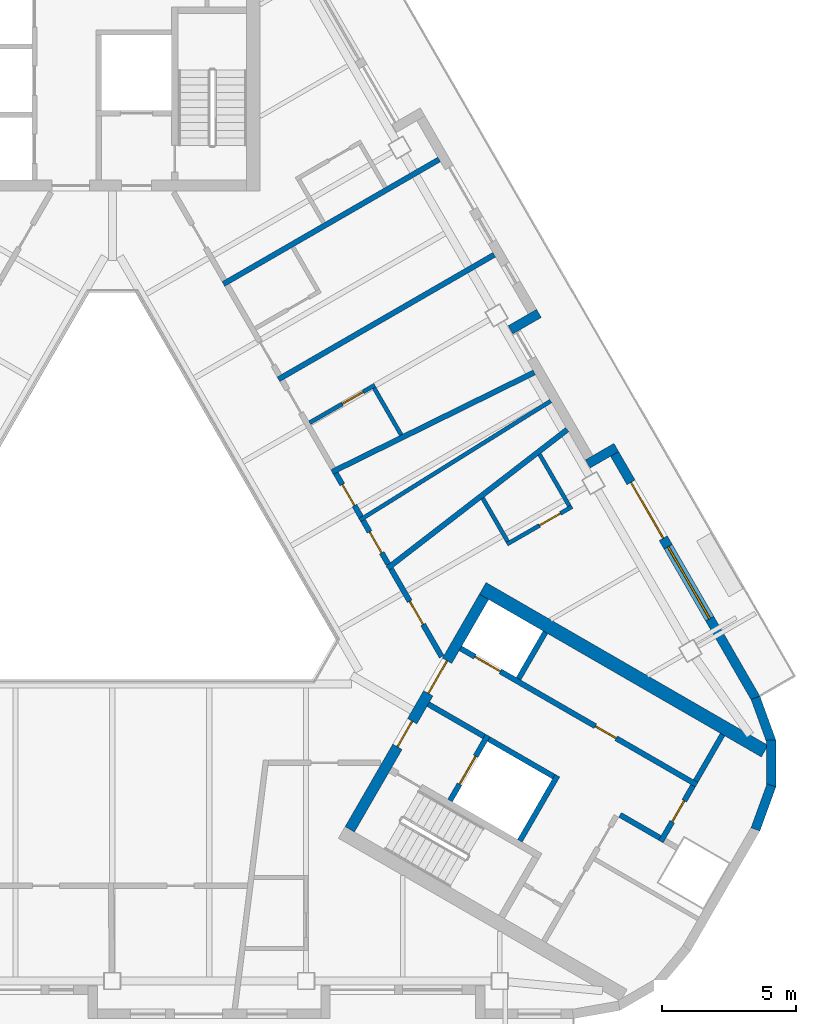
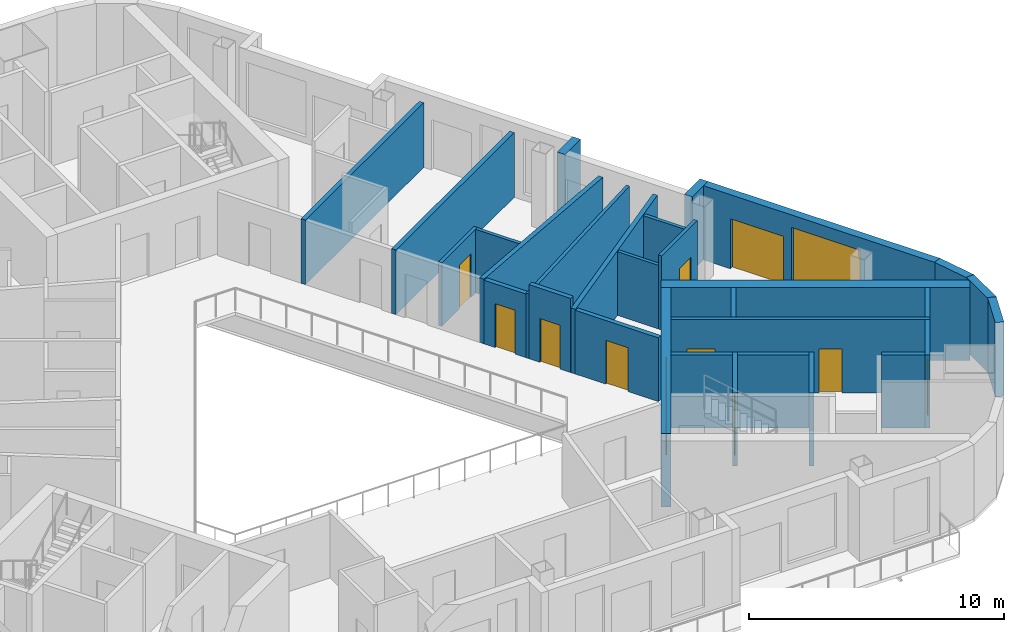
# One storey, part 6 of 13: 30 walls, 12 doors, 1 window, 13 openings.
"""IFC4 building model written with IfcOpenShell, lengths in metres."""

from ifc_helpers import new_model, si_unit, direction, frame, frame_2d, origin, place, context, subcontext, project, spatial, rectangle, extrude, material, layer, layer_set, type_object, element, fill, save


model = new_model("IFC4")

# Units and contexts
model_context = context("Model", 3, precision=1e-05, world=origin(), true_north=direction((0.0, 1.0)))
body_context = subcontext(model_context, "Body", "Model", "MODEL_VIEW")
ifc_project = project(units=[si_unit("LENGTHUNIT", "METRE"), si_unit("AREAUNIT", "SQUARE_METRE"), si_unit("VOLUMEUNIT", "CUBIC_METRE"), si_unit("PLANEANGLEUNIT", "RADIAN"), si_unit("MASSUNIT", "GRAM", prefix="KILO")], contexts=[model_context])

# Site, building, storey
site_placement = place(None, origin())
site = spatial("IfcSite", under=ifc_project, at=site_placement, CompositionType="ELEMENT")
building_placement = place(site_placement, origin())
building = spatial("IfcBuilding", under=site, at=building_placement, Name="Apuvela Tower Hotel", CompositionType="ELEMENT")
storey_placement = place(building_placement, frame((0.0, 0.0, 283.699951171875)))
storey = spatial("IfcBuildingStorey", under=building, at=storey_placement, Name="L70", CompositionType="ELEMENT", Elevation=283.699951171875)

# Wall, openings, doors
ifc_material_1 = material(Name="Concrete C50/60", Category="concrete")
ifc_layer_1 = layer(ifc_material_1, 0.39990234375)
ifc_layer_set_1 = layer_set([ifc_layer_1], Name="COR-WALL-CORE-400")
wall_type_1 = type_object("IfcWallType", Name="COR-WALL-CORE-400", PredefinedType="SHEAR", material=ifc_layer_set_1)
wall_1_placement = place(storey_placement, frame((8.844970703125, -10.880126953125, 0.0), z_axis=(0.0, 0.0, 1.0), x_axis=(0.500004234368, 0.866022959057, 0.0)))
wall_1 = element("IfcWall", 1, at=wall_1_placement, inside=storey, type_object=wall_type_1, Name="Core wall SE", PredefinedType="SHEAR", context=body_context, shape_type="SweptSolid", body=[
    extrude(rectangle(XDim=10.0, YDim=0.39990234375, at=frame_2d((5.0, 0.0))), origin(), (0.0, 0.0, 1.0), 3.5),
])
opening_1_placement = place(wall_1_placement, frame((3.550048828125, 0.0, 0.0)))
opening_1 = element("IfcOpeningElement", 2, at=opening_1_placement, cuts=wall_1, Name="Opening E-FD", PredefinedType="OPENING", context=body_context, shape_type="SweptSolid", body=[
    extrude(rectangle(XDim=1.10009765625, YDim=2.10009765625, at=frame_2d((0.550048828125, 1.050048828125))), frame((0.0, 0.2099609375, 0.0), z_axis=(0.0, -1.0, 0.0), x_axis=(1.0, 0.0, 0.0)), (0.0, 0.0, 1.0), 0.419921875),
])
opening_2_placement = place(wall_1_placement, frame((5.85009765625, 0.0, 0.0)))
opening_2 = element("IfcOpeningElement", 3, at=opening_2_placement, cuts=wall_1, Name="Opening E-GD", PredefinedType="OPENING", context=body_context, shape_type="SweptSolid", body=[
    extrude(rectangle(XDim=1.39990234375, YDim=2.10009765625, at=frame_2d((0.699951171875, 1.050048828125))), frame((0.0, 0.2099609375, 0.0), z_axis=(0.0, -1.0, 0.0), x_axis=(1.0, 0.0, 0.0)), (0.0, 0.0, 1.0), 0.419921875),
])
ifc_material_2 = material(Name="Steel fire door, powder coated", Category="steel")
door_type_1 = type_object("IfcDoorType", Name="COR-FD-1100", OperationType="NOTDEFINED", PredefinedType="DOOR", material=ifc_material_2)
door_1_placement = place(opening_1_placement, frame((1.10009765625, 0.0, 0.0), z_axis=(0.0, 0.0, 1.0), x_axis=(-1.0, 0.0, 0.0)))
door_1 = element("IfcDoor", 4, at=door_1_placement, inside=storey, type_object=door_type_1, Name="Firefighting lobby door E-FD", OperationType="SINGLE_SWING_LEFT", OverallHeight=2.10009765625, OverallWidth=1.10009765625, PredefinedType="DOOR", context=body_context, shape_type="SweptSolid", body=[
    extrude(rectangle(XDim=1.10009765625, YDim=2.10009765625, at=frame_2d((0.550048828125, 1.050048828125))), frame((0.0, 0.02490234375, 0.0), z_axis=(0.0, -1.0, 0.0), x_axis=(1.0, 0.0, 0.0)), (0.0, 0.0, 1.0), 0.050048828125),
])
fill(opening_1, door_1)
ifc_material_3 = material(Name="Glazed steel fire door", Category="steel")
door_type_2 = type_object("IfcDoorType", Name="COR-GD-1400", OperationType="DOUBLE_DOOR_SINGLE_SWING", PredefinedType="DOOR", material=ifc_material_3)
door_2_placement = place(opening_2_placement, frame((1.39990234375, 0.0, 0.0), z_axis=(0.0, 0.0, 1.0), x_axis=(-1.0, 0.0, 0.0)))
door_2 = element("IfcDoor", 5, at=door_2_placement, inside=storey, type_object=door_type_2, Name="Lift lobby door E-GD", OperationType="DOUBLE_DOOR_SINGLE_SWING", OverallHeight=2.10009765625, OverallWidth=1.39990234375, PredefinedType="DOOR", context=body_context, shape_type="SweptSolid", body=[
    extrude(rectangle(XDim=1.39990234375, YDim=2.10009765625, at=frame_2d((0.699951171875, 1.050048828125))), frame((0.0, 0.02490234375, 0.0), z_axis=(0.0, -1.0, 0.0), x_axis=(1.0, 0.0, 0.0)), (0.0, 0.0, 1.0), 0.050048828125),
])
fill(opening_2, door_2)

# Walls
ifc_layer_2 = layer(ifc_material_1, 0.5)
ifc_layer_set_2 = layer_set([ifc_layer_2], Name="COR-WALL-CORE-500")
wall_type_2 = type_object("IfcWallType", Name="COR-WALL-CORE-500", PredefinedType="SHEAR", material=ifc_layer_set_2)
wall_2_placement = place(storey_placement, frame((13.796630859375, -1.9033203125, 0.0), z_axis=(0.0, 0.0, 1.0), x_axis=(0.866024688907, -0.500001238203, 0.0)))
element("IfcWall", 6, at=wall_2_placement, inside=storey, type_object=wall_type_2, Name="Core wall SE", PredefinedType="SHEAR", context=body_context, shape_type="SweptSolid", body=[
    extrude(rectangle(XDim=12.12890625, YDim=0.5, at=frame_2d((6.064453125, 0.0))), origin(), (0.0, 0.0, 1.0), 3.5),
])
ifc_layer_3 = layer(ifc_material_1, 0.199951171875)
ifc_layer_set_3 = layer_set([ifc_layer_3], Name="COR-WALL-SHAFT-200")
wall_type_3 = type_object("IfcWallType", Name="COR-WALL-SHAFT-200", PredefinedType="SHEAR", material=ifc_layer_set_3)
wall_3_placement = place(storey_placement, frame((15.181396484375, -11.305419921875, 0.0), z_axis=(0.0, 0.0, 1.0), x_axis=(0.49994636267, 0.866056369097, 0.0)))
element("IfcWall", 7, at=wall_3_placement, inside=storey, type_object=wall_type_3, Name="Shaft wall SE", PredefinedType="SHEAR", context=body_context, shape_type="SweptSolid", body=[
    extrude(rectangle(XDim=2.800048828125, YDim=0.199951171875, at=frame_2d((1.39990234375, 0.0))), origin(), (0.0, 0.0, 1.0), 3.5),
])

# Wall, opening, door
wall_4_placement = place(storey_placement, frame((12.583251953125, -9.805419921875, 0.0), z_axis=(0.0, 0.0, 1.0), x_axis=(0.49994636267, 0.866056369097, 0.0)))
wall_4 = element("IfcWall", 8, at=wall_4_placement, inside=storey, type_object=wall_type_3, Name="Shaft wall SE", PredefinedType="SHEAR", context=body_context, shape_type="SweptSolid", body=[
    extrude(rectangle(XDim=2.800048828125, YDim=0.199951171875, at=frame_2d((1.39990234375, 0.0))), origin(), (0.0, 0.0, 1.0), 3.5),
])
opening_3_placement = place(wall_4_placement, frame((0.699951171875, 0.0, 0.0)))
opening_3 = element("IfcOpeningElement", 9, at=opening_3_placement, cuts=wall_4, Name="Opening E-LD-FS3", PredefinedType="OPENING", context=body_context, shape_type="SweptSolid", body=[
    extrude(rectangle(XDim=1.199951171875, YDim=2.10009765625, at=frame_2d((0.60009765625, 1.050048828125))), frame((0.0, 0.10986328125, 0.0), z_axis=(0.0, -1.0, 0.0), x_axis=(1.0, 0.0, 0.0)), (0.0, 0.0, 1.0), 0.219970703125),
])
ifc_material_4 = material(Name="Stainless steel lift landing door", Category="steel")
door_type_3 = type_object("IfcDoorType", Name="COR-LD-1200", OperationType="DOUBLE_DOOR_SLIDING", PredefinedType="DOOR", material=ifc_material_4)
door_3_placement = place(opening_3_placement, origin())
door_3 = element("IfcDoor", 10, at=door_3_placement, inside=storey, type_object=door_type_3, Name="Lift landing door E-LD-FS3", OperationType="DOUBLE_DOOR_SLIDING", OverallHeight=2.10009765625, OverallWidth=1.199951171875, PredefinedType="DOOR", context=body_context, shape_type="SweptSolid", body=[
    extrude(rectangle(XDim=1.199951171875, YDim=2.10009765625, at=frame_2d((0.60009765625, 1.050048828125))), frame((0.0, 0.02490234375, 0.0), z_axis=(0.0, -1.0, 0.0), x_axis=(1.0, 0.0, 0.0)), (0.0, 0.0, 1.0), 0.050048828125),
])
fill(opening_3, door_3)

# Walls
wall_5_placement = place(storey_placement, frame((11.76806640625, -6.217041015625, 0.0), z_axis=(0.0, 0.0, 1.0), x_axis=(0.866050077142, -0.499957262057, 0.0)))
element("IfcWall", 11, at=wall_5_placement, inside=storey, type_object=wall_type_3, Name="Shaft wall SE", PredefinedType="SHEAR", context=body_context, shape_type="SweptSolid", body=[
    extrude(rectangle(XDim=2.400146484375, YDim=0.199951171875, at=frame_2d((1.2001953125, 0.0))), origin(), (0.0, 0.0, 1.0), 3.5),
])
wall_6_placement = place(storey_placement, frame((14.019775390625, -7.51708984375, 0.0), z_axis=(0.0, 0.0, 1.0), x_axis=(0.866034573852, -0.49998411664, 0.0)))
element("IfcWall", 12, at=wall_6_placement, inside=storey, type_object=wall_type_3, Name="Shaft wall SE", PredefinedType="SHEAR", context=body_context, shape_type="SweptSolid", body=[
    extrude(rectangle(XDim=2.7998046875, YDim=0.199951171875, at=frame_2d((1.39990234375, 0.0))), origin(), (0.0, 0.0, 1.0), 3.5),
])

# Wall, openings, doors
wall_7_placement = place(storey_placement, frame((12.968017578125, -4.138427734375, 0.0), z_axis=(0.0, 0.0, 1.0), x_axis=(0.866028328073, -0.49999493495, 0.0)))
wall_7 = element("IfcWall", 13, at=wall_7_placement, inside=storey, type_object=wall_type_3, Name="Shaft wall SE", PredefinedType="SHEAR", context=body_context, shape_type="SweptSolid", body=[
    extrude(rectangle(XDim=10.16015625, YDim=0.199951171875, at=frame_2d((5.080078125, 0.0))), origin(), (0.0, 0.0, 1.0), 3.5),
])
opening_4_placement = place(wall_7_placement, frame((0.6201171875, 0.0, 0.0)))
opening_4 = element("IfcOpeningElement", 14, at=opening_4_placement, cuts=wall_7, Name="Opening E-LD-HR3", PredefinedType="OPENING", context=body_context, shape_type="SweptSolid", body=[
    extrude(rectangle(XDim=1.10009765625, YDim=2.10009765625, at=frame_2d((0.550048828125, 1.050048828125))), frame((0.0, 0.10986328125, 0.0), z_axis=(0.0, -1.0, 0.0), x_axis=(1.0, 0.0, 0.0)), (0.0, 0.0, 1.0), 0.219970703125),
])
opening_5_placement = place(wall_7_placement, frame((5.800048828125, 0.0, 0.0)))
opening_5 = element("IfcOpeningElement", 15, at=opening_5_placement, cuts=wall_7, Name="Opening E-RE2", PredefinedType="OPENING", context=body_context, shape_type="SweptSolid", body=[
    extrude(rectangle(XDim=0.89990234375, YDim=2.10009765625, at=frame_2d((0.449951171875, 1.050048828125))), frame((0.0, 0.10986328125, 0.0), z_axis=(0.0, -1.0, 0.0), x_axis=(1.0, 0.0, 0.0)), (0.0, 0.0, 1.0), 0.219970703125),
])
door_type_4 = type_object("IfcDoorType", Name="COR-DR-900", OperationType="NOTDEFINED", PredefinedType="DOOR", material=ifc_material_2)
door_4_placement = place(opening_5_placement, origin())
door_4 = element("IfcDoor", 16, at=door_4_placement, inside=storey, type_object=door_type_4, Name="Store door E-RE2", OperationType="SINGLE_SWING_LEFT", OverallHeight=2.10009765625, OverallWidth=0.89990234375, PredefinedType="DOOR", context=body_context, shape_type="SweptSolid", body=[
    extrude(rectangle(XDim=0.89990234375, YDim=2.10009765625, at=frame_2d((0.449951171875, 1.050048828125))), frame((0.0, 0.02490234375, 0.0), z_axis=(0.0, -1.0, 0.0), x_axis=(1.0, 0.0, 0.0)), (0.0, 0.0, 1.0), 0.050048828125),
])
fill(opening_5, door_4)
door_type_5 = type_object("IfcDoorType", Name="COR-LD-1100", OperationType="DOUBLE_DOOR_SLIDING", PredefinedType="DOOR", material=ifc_material_4)
door_5_placement = place(opening_4_placement, origin())
door_5 = element("IfcDoor", 17, at=door_5_placement, inside=storey, type_object=door_type_5, Name="Lift landing door E-LD-HR3", OperationType="DOUBLE_DOOR_SLIDING", OverallHeight=2.10009765625, OverallWidth=1.10009765625, PredefinedType="DOOR", context=body_context, shape_type="SweptSolid", body=[
    extrude(rectangle(XDim=1.10009765625, YDim=2.10009765625, at=frame_2d((0.550048828125, 1.050048828125))), frame((0.0, 0.02490234375, 0.0), z_axis=(0.0, -1.0, 0.0), x_axis=(1.0, 0.0, 0.0)), (0.0, 0.0, 1.0), 0.050048828125),
])
fill(opening_4, door_5)

# Wall, opening, door
wall_8_placement = place(storey_placement, frame((20.430419921875, -11.33349609375, 0.0), z_axis=(0.0, 0.0, 1.0), x_axis=(0.500001309137, 0.866024647952, 0.0)))
wall_8 = element("IfcWall", 18, at=wall_8_placement, inside=storey, type_object=wall_type_3, Name="Shaft wall SE", PredefinedType="SHEAR", context=body_context, shape_type="SweptSolid", body=[
    extrude(rectangle(XDim=2.39990234375, YDim=0.199951171875, at=frame_2d((1.199951171875, 0.0))), origin(), (0.0, 0.0, 1.0), 3.5),
])
opening_6_placement = place(wall_8_placement, frame((0.85009765625, 0.0, 0.0)))
opening_6 = element("IfcOpeningElement", 19, at=opening_6_placement, cuts=wall_8, Name="Opening E-REP", PredefinedType="OPENING", context=body_context, shape_type="SweptSolid", body=[
    extrude(rectangle(XDim=0.89990234375, YDim=2.10009765625, at=frame_2d((0.449951171875, 1.050048828125))), frame((0.0, 0.10986328125, 0.0), z_axis=(0.0, -1.0, 0.0), x_axis=(1.0, 0.0, 0.0)), (0.0, 0.0, 1.0), 0.219970703125),
])
door_6_placement = place(opening_6_placement, frame((0.89990234375, 0.0, 0.0), z_axis=(0.0, 0.0, 1.0), x_axis=(-1.0, 0.0, 0.0)))
door_6 = element("IfcDoor", 20, at=door_6_placement, inside=storey, type_object=door_type_4, Name="Store door E-REP", OperationType="SINGLE_SWING_RIGHT", OverallHeight=2.10009765625, OverallWidth=0.89990234375, PredefinedType="DOOR", context=body_context, shape_type="SweptSolid", body=[
    extrude(rectangle(XDim=0.89990234375, YDim=2.10009765625, at=frame_2d((0.449951171875, 1.050048828125))), frame((0.0, 0.02490234375, 0.0), z_axis=(0.0, -1.0, 0.0), x_axis=(1.0, 0.0, 0.0)), (0.0, 0.0, 1.0), 0.050048828125),
])
fill(opening_6, door_6)

# Walls
wall_9_placement = place(storey_placement, frame((18.912841796875, -10.342041015625, 0.0), z_axis=(0.0, 0.0, 1.0), x_axis=(0.866038183914, -0.499977863513, 0.0)))
element("IfcWall", 21, at=wall_9_placement, inside=storey, type_object=wall_type_3, Name="Shaft wall SE", PredefinedType="SHEAR", context=body_context, shape_type="SweptSolid", body=[
    extrude(rectangle(XDim=1.7099609375, YDim=0.199951171875, at=frame_2d((0.85498046875, 0.0))), origin(), (0.0, 0.0, 1.0), 3.5),
])
for number, where, z_axis, x_axis, name in (
    (22, (15.131103515625, -5.27197265625, 0.0), (0.0, 0.0, 1.0), (0.499972520799, 0.866041268327, 0.0), "Shaft wall SE"),
    (23, (21.73046875, -9.081787109375, 0.0), (0.0, 0.0, 1.0), (0.50002537861, 0.866010750942, 0.0), "Shaft wall SE"),
):
    element("IfcWall", number, at=place(storey_placement, frame(where, z_axis=z_axis, x_axis=x_axis)), inside=storey, type_object=wall_type_3, Name=name, PredefinedType="SHEAR", context=body_context, shape_type="SweptSolid", body=[
        extrude(rectangle(XDim=2.0, YDim=0.199951171875, at=frame_2d((1.0, 0.0))), origin(), (0.0, 0.0, 1.0), 3.5),
    ])
ifc_material_5 = material(Name="Concrete C40/50, dark pigmented precast panel", Category="concrete")
ifc_layer_4 = layer(ifc_material_5, 0.35009765625)
ifc_layer_set_4 = layer_set([ifc_layer_4], Name="ENV-WALL-350")
wall_type_4 = type_object("IfcWallType", Name="ENV-WALL-350", PredefinedType="SOLIDWALL", material=ifc_layer_set_4)
for number, where, z_axis, x_axis, name in (
    (24, (23.954833984375, -10.8818359375, 0.0), (0.0, 0.0, 1.0), (0.34201271391, 0.939695324839, 0.0), "External wall L70-30"),
    (25, (24.541015625, -9.302490234375, 0.0), (0.0, 0.0, 1.0), (0.0, 1.0, 0.0), "External wall L70-31"),
    (26, (24.551513671875, -7.61767578125, 0.0), (0.0, 0.0, 1.0), (-0.34201271391, 0.939695324839, 0.0), "External wall L70-32"),
):
    element("IfcWall", number, at=place(storey_placement, frame(where, z_axis=z_axis, x_axis=x_axis)), inside=storey, type_object=wall_type_4, Name=name, PredefinedType="SOLIDWALL", context=body_context, shape_type="SweptSolid", body=[
        extrude(rectangle(XDim=1.74462890625, YDim=0.35009765625, at=frame_2d((0.872314453125, 0.0))), origin(), (0.0, 0.0, 1.0), 3.550048828125),
    ])

# Wall, openings, door, window
wall_10_placement = place(storey_placement, frame((23.9677734375, -6.005859375, 0.0), z_axis=(0.0, 0.0, 1.0), x_axis=(-0.500008899612, 0.86602026553, 0.0)))
wall_10 = element("IfcWall", 27, at=wall_10_placement, inside=storey, type_object=wall_type_4, Name="External wall L70-33", PredefinedType="SOLIDWALL", context=body_context, shape_type="SweptSolid", body=[
    extrude(rectangle(XDim=10.869873046875, YDim=0.35009765625, at=frame_2d((5.43505859375, 0.0))), origin(), (0.0, 0.0, 1.0), 3.550048828125),
])
opening_7_placement = place(wall_10_placement, frame((6.894287109375, 0.0, 0.0)))
opening_7 = element("IfcOpeningElement", 28, at=opening_7_placement, cuts=wall_10, Name="Opening BD24", PredefinedType="OPENING", context=body_context, shape_type="SweptSolid", body=[
    extrude(rectangle(XDim=2.39990234375, YDim=2.39990234375, at=frame_2d((1.199951171875, 1.199951171875))), frame((0.0, 0.18505859375, 0.0), z_axis=(0.0, -1.0, 0.0), x_axis=(1.0, 0.0, 0.0)), (0.0, 0.0, 1.0), 0.3701171875),
])
opening_8_placement = place(wall_10_placement, frame((3.42919921875, 0.0, 0.300048828125)))
opening_8 = element("IfcOpeningElement", 29, at=opening_8_placement, cuts=wall_10, Name="Opening WN31", PredefinedType="OPENING", context=body_context, shape_type="SweptSolid", body=[
    extrude(rectangle(XDim=3.10009765625, YDim=2.64990234375, at=frame_2d((1.550048828125, 1.324951171875))), frame((0.0, 0.18505859375, 0.0), z_axis=(0.0, -1.0, 0.0), x_axis=(1.0, 0.0, 0.0)), (0.0, 0.0, 1.0), 0.3701171875),
])
ifc_material_6 = material(Name="Aluminium 6063-T6, dark bronze anodised frame with dark tinted laminated glass", Category="aluminium")
door_type_6 = type_object("IfcDoorType", Name="ENV-DOOR-BALCONY-2400x2400", OperationType="SLIDING_TO_LEFT", PredefinedType="DOOR", material=ifc_material_6)
door_7_placement = place(opening_7_placement, frame((2.39990234375, 0.0, 0.0), z_axis=(0.0, 0.0, 1.0), x_axis=(-1.0, 0.0, 0.0)))
door_7 = element("IfcDoor", 30, at=door_7_placement, inside=storey, type_object=door_type_6, Name="Balcony door BD24", OperationType="SLIDING_TO_LEFT", OverallHeight=2.39990234375, OverallWidth=2.39990234375, PredefinedType="DOOR", context=body_context, shape_type="SweptSolid", body=[
    extrude(rectangle(XDim=2.39990234375, YDim=2.39990234375, at=frame_2d((1.199951171875, 1.199951171875))), frame((0.0, 0.02490234375, 0.0), z_axis=(0.0, -1.0, 0.0), x_axis=(1.0, 0.0, 0.0)), (0.0, 0.0, 1.0), 0.050048828125),
])
fill(opening_7, door_7)
ifc_material_7 = material(Name="Glass, dark tinted laminated insulated glazing unit", Category="glass")
window_type = type_object("IfcWindowType", Name="ENV-WIN-3100x2650", PartitioningType="SINGLE_PANEL", PredefinedType="WINDOW", material=ifc_material_7)
window_placement = place(opening_8_placement, origin())
window = element("IfcWindow", 31, at=window_placement, inside=storey, type_object=window_type, Name="Window WN31", OverallHeight=2.64990234375, OverallWidth=3.10009765625, PartitioningType="SINGLE_PANEL", PredefinedType="WINDOW", context=body_context, shape_type="SweptSolid", body=[
    extrude(rectangle(XDim=3.10009765625, YDim=2.64990234375, at=frame_2d((1.550048828125, 1.324951171875))), frame((0.0, 0.030029296875, 0.0), z_axis=(0.0, -1.0, 0.0), x_axis=(1.0, 0.0, 0.0)), (0.0, 0.0, 1.0), 0.06005859375),
])
fill(opening_8, window)

# Walls
for number, where, z_axis, x_axis, name in (
    (32, (18.77197265625, 3.343505859375, 0.0), (0.0, 0.0, 1.0), (-0.866005645448, -0.500034220881, 0.0), "External wall L70-34"),
    (33, (14.83251953125, 7.7265625, 0.0), (0.0, 0.0, 1.0), (0.866142280446, 0.499797509021, 0.0), "External wall L70-36"),
):
    element("IfcWall", number, at=place(storey_placement, frame(where, z_axis=z_axis, x_axis=x_axis)), inside=storey, type_object=wall_type_4, Name=name, PredefinedType="SOLIDWALL", context=body_context, shape_type="SweptSolid", body=[
        extrude(rectangle(XDim=1.22021484375, YDim=0.35009765625, at=frame_2d((0.610107421875, 0.0))), origin(), (0.0, 0.0, 1.0), 3.550048828125),
    ])
ifc_material_8 = material(Name="Gypsum board partition on twin steel stud", Category="steel")
ifc_layer_5 = layer(ifc_material_8, 0.199951171875)
ifc_layer_set_5 = layer_set([ifc_layer_5], Name="GST-PW1")
wall_type_5 = type_object("IfcWallType", Name="GST-PW1", PredefinedType="PARTITIONING", material=ifc_layer_set_5)
wall_11_placement = place(storey_placement, frame((16.944580078125, 4.00830078125, 0.0), z_axis=(0.0, 0.0, 1.0), x_axis=(-0.791722394734, -0.610881043801, 0.0)))
element("IfcWall", 34, at=wall_11_placement, inside=storey, type_object=wall_type_5, Name="L70 partition 04", PredefinedType="PARTITIONING", context=body_context, shape_type="SweptSolid", body=[
    extrude(rectangle(XDim=8.453857421875, YDim=0.199951171875, at=frame_2d((4.22705078125, 0.0))), origin(), (0.0, 0.0, 1.0), 3.10009765625),
])
wall_12_placement = place(storey_placement, frame((15.714599609375, 6.13916015625, 0.0), z_axis=(0.0, 0.0, 1.0), x_axis=(-0.897120508699, -0.44178591294, 0.0)))
element("IfcWall", 35, at=wall_12_placement, inside=storey, type_object=wall_type_5, Name="L70 partition 05", PredefinedType="PARTITIONING", context=body_context, shape_type="SweptSolid", body=[
    extrude(rectangle(XDim=8.39697265625, YDim=0.199951171875, at=frame_2d((4.198486328125, 0.0))), origin(), (0.0, 0.0, 1.0), 3.10009765625),
])
wall_13_placement = place(storey_placement, frame((14.2236328125, 10.521484375, 0.0), z_axis=(0.0, 0.0, 1.0), x_axis=(-0.866024341471, -0.500001839976, 0.0)))
element("IfcWall", 36, at=wall_13_placement, inside=storey, type_object=wall_type_5, Name="L70 partition 06", PredefinedType="PARTITIONING", context=body_context, shape_type="SweptSolid", body=[
    extrude(rectangle(XDim=9.27880859375, YDim=0.199951171875, at=frame_2d((4.639404296875, 0.0))), origin(), (0.0, 0.0, 1.0), 3.10009765625),
])
wall_14_placement = place(storey_placement, frame((12.173583984375, 14.072021484375, 0.0), z_axis=(0.0, 0.0, 1.0), x_axis=(-0.866035734738, -0.499982105836, 0.0)))
element("IfcWall", 37, at=wall_14_placement, inside=storey, type_object=wall_type_5, Name="L70 partition 07", PredefinedType="PARTITIONING", context=body_context, shape_type="SweptSolid", body=[
    extrude(rectangle(XDim=9.278564453125, YDim=0.199951171875, at=frame_2d((4.63916015625, 0.0))), origin(), (0.0, 0.0, 1.0), 3.10009765625),
])

# Wall, opening, door
ifc_material_9 = material(Name="Gypsum board corridor wall on twin steel stud, acoustic", Category="steel")
ifc_layer_6 = layer(ifc_material_9, 0.199951171875)
ifc_layer_set_6 = layer_set([ifc_layer_6], Name="GST-PW2")
wall_type_6 = type_object("IfcWallType", Name="GST-PW2", PredefinedType="PARTITIONING", material=ifc_layer_set_6)
wall_15_placement = place(storey_placement, frame((10.3818359375, -1.181884765625, 0.0), z_axis=(0.0, 0.0, 1.0), x_axis=(0.50002859319, -0.866008894869, 0.0)))
wall_15 = element("IfcWall", 38, at=wall_15_placement, inside=storey, type_object=wall_type_6, Name="L70 partition 22", PredefinedType="PARTITIONING", context=body_context, shape_type="SweptSolid", body=[
    extrude(rectangle(XDim=3.773681640625, YDim=0.199951171875, at=frame_2d((1.88671875, 0.0))), origin(), (0.0, 0.0, 1.0), 3.050048828125),
])
opening_9_placement = place(wall_15_placement, frame((1.386962890625, 0.0, 0.0)))
opening_9 = element("IfcOpeningElement", 39, at=opening_9_placement, cuts=wall_15, Name="Opening GD28-08", PredefinedType="OPENING", context=body_context, shape_type="SweptSolid", body=[
    extrude(rectangle(XDim=1.0, YDim=2.10009765625, at=frame_2d((0.5, 1.050048828125))), frame((0.0, 0.10986328125, 0.0), z_axis=(0.0, -1.0, 0.0), x_axis=(1.0, 0.0, 0.0)), (0.0, 0.0, 1.0), 0.219970703125),
])
ifc_material_10 = material(Name="Timber door leaf in steel frame", Category="steel")
door_type_7 = type_object("IfcDoorType", Name="GST-D1", OperationType="NOTDEFINED", PredefinedType="DOOR", material=ifc_material_10)
door_8_placement = place(opening_9_placement, origin())
door_8 = element("IfcDoor", 40, at=door_8_placement, inside=storey, type_object=door_type_7, Name="Door L70-08", OperationType="SINGLE_SWING_LEFT", OverallHeight=2.10009765625, OverallWidth=1.0, PredefinedType="DOOR", context=body_context, shape_type="SweptSolid", body=[
    extrude(rectangle(XDim=1.0, YDim=2.10009765625, at=frame_2d((0.5, 1.050048828125))), frame((0.0, 0.02490234375, 0.0), z_axis=(0.0, -1.0, 0.0), x_axis=(1.0, 0.0, 0.0)), (0.0, 0.0, 1.0), 0.050048828125),
])
fill(opening_9, door_8)

wall_16_placement = place(storey_placement, frame((9.3388671875, 0.624755859375, 0.0), z_axis=(0.0, 0.0, 1.0), x_axis=(0.499999106059, -0.866025919901, 0.0)))
wall_16 = element("IfcWall", 41, at=wall_16_placement, inside=storey, type_object=wall_type_6, Name="L70 partition 27", PredefinedType="PARTITIONING", context=body_context, shape_type="SweptSolid", body=[
    extrude(rectangle(XDim=1.88427734375, YDim=0.199951171875, at=frame_2d((0.942138671875, 0.0))), origin(), (0.0, 0.0, 1.0), 3.550048828125),
])
opening_10_placement = place(wall_16_placement, frame((0.4921875, 0.0, 0.0)))
opening_10 = element("IfcOpeningElement", 42, at=opening_10_placement, cuts=wall_16, Name="Opening GD28-09", PredefinedType="OPENING", context=body_context, shape_type="SweptSolid", body=[
    extrude(rectangle(XDim=0.89990234375, YDim=2.10009765625, at=frame_2d((0.449951171875, 1.050048828125))), frame((0.0, 0.10986328125, 0.0), z_axis=(0.0, -1.0, 0.0), x_axis=(1.0, 0.0, 0.0)), (0.0, 0.0, 1.0), 0.219970703125),
])
door_type_8 = type_object("IfcDoorType", Name="GST-D2", OperationType="NOTDEFINED", PredefinedType="DOOR", material=ifc_material_10)
door_9_placement = place(opening_10_placement, origin())
door_9 = element("IfcDoor", 43, at=door_9_placement, inside=storey, type_object=door_type_8, Name="Door L70-09", OperationType="SINGLE_SWING_LEFT", OverallHeight=2.10009765625, OverallWidth=0.89990234375, PredefinedType="DOOR", context=body_context, shape_type="SweptSolid", body=[
    extrude(rectangle(XDim=0.89990234375, YDim=2.10009765625, at=frame_2d((0.449951171875, 1.050048828125))), frame((0.0, 0.02490234375, 0.0), z_axis=(0.0, -1.0, 0.0), x_axis=(1.0, 0.0, 0.0)), (0.0, 0.0, 1.0), 0.050048828125),
])
fill(opening_10, door_9)

wall_17_placement = place(storey_placement, frame((8.3212890625, 2.386962890625, 0.0), z_axis=(0.0, 0.0, 1.0), x_axis=(0.500081217305, -0.865978507874, 0.0)))
wall_17 = element("IfcWall", 44, at=wall_17_placement, inside=storey, type_object=wall_type_6, Name="L70 partition 28", PredefinedType="PARTITIONING", context=body_context, shape_type="SweptSolid", body=[
    extrude(rectangle(XDim=1.885009765625, YDim=0.199951171875, at=frame_2d((0.9423828125, 0.0))), origin(), (0.0, 0.0, 1.0), 3.050048828125),
])
opening_11_placement = place(wall_17_placement, frame((0.492431640625, 0.0, 0.0)))
opening_11 = element("IfcOpeningElement", 45, at=opening_11_placement, cuts=wall_17, Name="Opening GD28-10", PredefinedType="OPENING", context=body_context, shape_type="SweptSolid", body=[
    extrude(rectangle(XDim=0.89990234375, YDim=2.10009765625, at=frame_2d((0.449951171875, 1.050048828125))), frame((0.0, 0.10986328125, 0.0), z_axis=(0.0, -1.0, 0.0), x_axis=(1.0, 0.0, 0.0)), (0.0, 0.0, 1.0), 0.219970703125),
])
door_10_placement = place(opening_11_placement, origin())
door_10 = element("IfcDoor", 46, at=door_10_placement, inside=storey, type_object=door_type_8, Name="Door L70-10", OperationType="SINGLE_SWING_RIGHT", OverallHeight=2.10009765625, OverallWidth=0.89990234375, PredefinedType="DOOR", context=body_context, shape_type="SweptSolid", body=[
    extrude(rectangle(XDim=0.89990234375, YDim=2.10009765625, at=frame_2d((0.449951171875, 1.050048828125))), frame((0.0, 0.02490234375, 0.0), z_axis=(0.0, -1.0, 0.0), x_axis=(1.0, 0.0, 0.0)), (0.0, 0.0, 1.0), 0.050048828125),
])
fill(opening_11, door_10)

ifc_material_11 = material(Name="Moisture-resistant gypsum board wet wall on steel stud", Category="steel")
ifc_layer_7 = layer(ifc_material_11, 0.14990234375)
ifc_layer_set_7 = layer_set([ifc_layer_7], Name="GST-PW3")
wall_type_7 = type_object("IfcWallType", Name="GST-PW3", PredefinedType="PARTITIONING", material=ifc_layer_set_7)
wall_18_placement = place(storey_placement, frame((14.699462890625, -0.260009765625, 0.0), z_axis=(0.0, 0.0, 1.0), x_axis=(0.866034573852, 0.49998411664, 0.0)))
wall_18 = element("IfcWall", 47, at=wall_18_placement, inside=storey, type_object=wall_type_7, Name="L70 partition 23", PredefinedType="PARTITIONING", context=body_context, shape_type="SweptSolid", body=[
    extrude(rectangle(XDim=2.7998046875, YDim=0.14990234375, at=frame_2d((1.39990234375, 0.0))), origin(), (0.0, 0.0, 1.0), 3.550048828125),
])
opening_12_placement = place(wall_18_placement, frame((1.39990234375, 0.0, 0.0)))
opening_12 = element("IfcOpeningElement", 48, at=opening_12_placement, cuts=wall_18, Name="Opening GD28-07", PredefinedType="OPENING", context=body_context, shape_type="SweptSolid", body=[
    extrude(rectangle(XDim=0.89990234375, YDim=2.10009765625, at=frame_2d((0.449951171875, 1.050048828125))), frame((0.0, 0.0849609375, 0.0), z_axis=(0.0, -1.0, 0.0), x_axis=(1.0, 0.0, 0.0)), (0.0, 0.0, 1.0), 0.169921875),
])
door_11_placement = place(opening_12_placement, origin())
door_11 = element("IfcDoor", 49, at=door_11_placement, inside=storey, type_object=door_type_8, Name="Door L70-07", OperationType="SINGLE_SWING_RIGHT", OverallHeight=2.10009765625, OverallWidth=0.89990234375, PredefinedType="DOOR", context=body_context, shape_type="SweptSolid", body=[
    extrude(rectangle(XDim=0.89990234375, YDim=2.10009765625, at=frame_2d((0.449951171875, 1.050048828125))), frame((0.0, 0.02490234375, 0.0), z_axis=(0.0, -1.0, 0.0), x_axis=(1.0, 0.0, 0.0)), (0.0, 0.0, 1.0), 0.050048828125),
])
fill(opening_12, door_11)

# Walls
wall_19_placement = place(storey_placement, frame((17.021728515625, 1.16748046875, 0.0), z_axis=(0.0, 0.0, 1.0), x_axis=(-0.499954515395, 0.866051662741, 0.0)))
element("IfcWall", 50, at=wall_19_placement, inside=storey, type_object=wall_type_7, Name="L70 partition 24", PredefinedType="PARTITIONING", context=body_context, shape_type="SweptSolid", body=[
    extrude(rectangle(XDim=2.216064453125, YDim=0.14990234375, at=frame_2d((1.10791015625, 0.0))), origin(), (0.0, 0.0, 1.0), 3.050048828125),
])
wall_20_placement = place(storey_placement, frame((14.726806640625, -0.15771484375, 0.0), z_axis=(0.0, 0.0, 1.0), x_axis=(-0.499964847546, 0.866045698112, 0.0)))
element("IfcWall", 51, at=wall_20_placement, inside=storey, type_object=wall_type_7, Name="L70 partition 25", PredefinedType="PARTITIONING", context=body_context, shape_type="SweptSolid", body=[
    extrude(rectangle(XDim=1.860107421875, YDim=0.14990234375, at=frame_2d((0.93017578125, 0.0))), origin(), (0.0, 0.0, 1.0), 3.050048828125),
])
wall_21_placement = place(storey_placement, frame((16.32958984375, 5.07373046875, 0.0), z_axis=(0.0, 0.0, 1.0), x_axis=(-0.848469139967, -0.52924485687, 0.0)))
element("IfcWall", 52, at=wall_21_placement, inside=storey, type_object=wall_type_7, Name="L70 partition 26", PredefinedType="PARTITIONING", context=body_context, shape_type="SweptSolid", body=[
    extrude(rectangle(XDim=8.383544921875, YDim=0.14990234375, at=frame_2d((4.19189453125, 0.0))), origin(), (0.0, 0.0, 1.0), 3.10009765625),
])

# Wall, opening, door
wall_22_placement = place(storey_placement, frame((9.77685546875, 5.666015625, 0.0), z_axis=(0.0, 0.0, 1.0), x_axis=(-0.865996816683, -0.500049511043, 0.0)))
wall_22 = element("IfcWall", 53, at=wall_22_placement, inside=storey, type_object=wall_type_7, Name="L70 partition 30", PredefinedType="PARTITIONING", context=body_context, shape_type="SweptSolid", body=[
    extrude(rectangle(XDim=2.800048828125, YDim=0.14990234375, at=frame_2d((1.39990234375, 0.0))), origin(), (0.0, 0.0, 1.0), 3.050048828125),
])
opening_13_placement = place(wall_22_placement, frame((0.5, 0.0, 0.0)))
opening_13 = element("IfcOpeningElement", 54, at=opening_13_placement, cuts=wall_22, Name="Opening GD28-11", PredefinedType="OPENING", context=body_context, shape_type="SweptSolid", body=[
    extrude(rectangle(XDim=0.89990234375, YDim=2.10009765625, at=frame_2d((0.449951171875, 1.050048828125))), frame((0.0, 0.0849609375, 0.0), z_axis=(0.0, -1.0, 0.0), x_axis=(1.0, 0.0, 0.0)), (0.0, 0.0, 1.0), 0.169921875),
])
door_12_placement = place(opening_13_placement, origin())
door_12 = element("IfcDoor", 55, at=door_12_placement, inside=storey, type_object=door_type_8, Name="Door L70-11", OperationType="SINGLE_SWING_LEFT", OverallHeight=2.10009765625, OverallWidth=0.89990234375, PredefinedType="DOOR", context=body_context, shape_type="SweptSolid", body=[
    extrude(rectangle(XDim=0.89990234375, YDim=2.10009765625, at=frame_2d((0.449951171875, 1.050048828125))), frame((0.0, 0.02490234375, 0.0), z_axis=(0.0, -1.0, 0.0), x_axis=(1.0, 0.0, 0.0)), (0.0, 0.0, 1.0), 0.050048828125),
])
fill(opening_13, door_12)

# Wall
wall_23_placement = place(storey_placement, frame((10.760986328125, 3.811279296875, 0.0), z_axis=(0.0, 0.0, 1.0), x_axis=(-0.499941815747, 0.866058993873, 0.0)))
element("IfcWall", 56, at=wall_23_placement, inside=storey, type_object=wall_type_7, Name="L70 partition 31", PredefinedType="PARTITIONING", context=body_context, shape_type="SweptSolid", body=[
    extrude(rectangle(XDim=2.023193359375, YDim=0.14990234375, at=frame_2d((1.01171875, 0.0))), origin(), (0.0, 0.0, 1.0), 3.050048828125),
])

save(model, "model.ifc")
